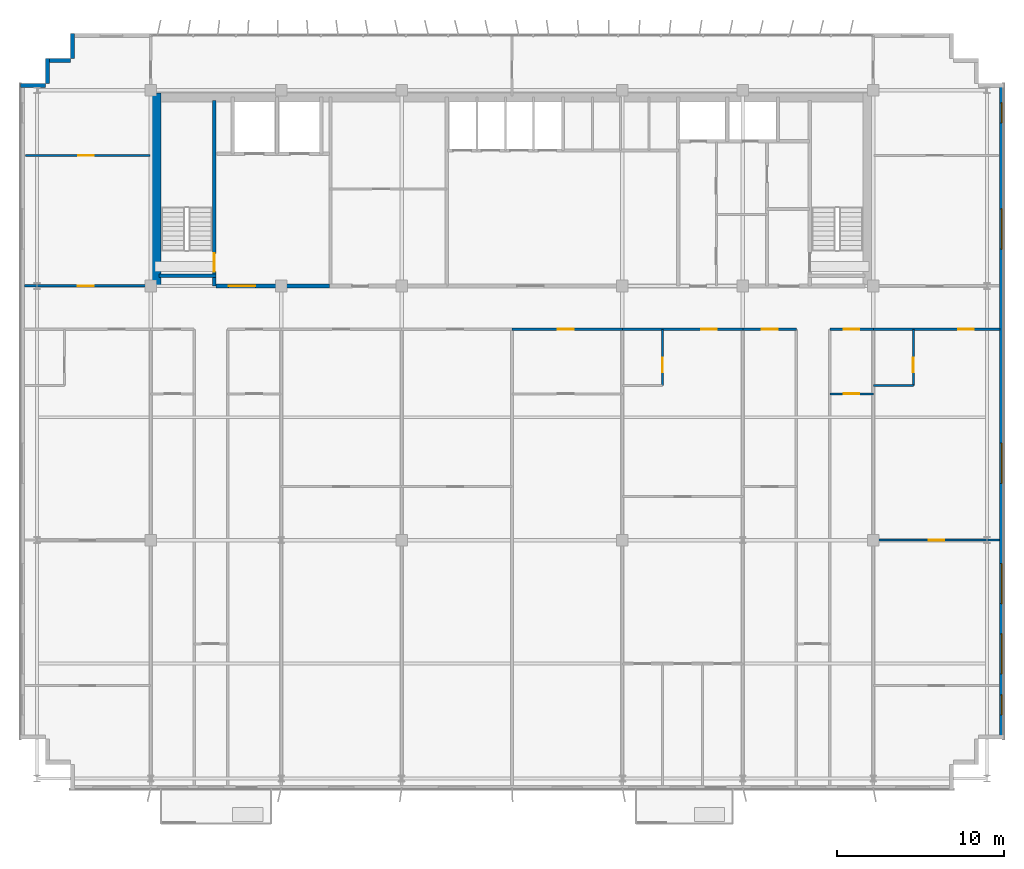
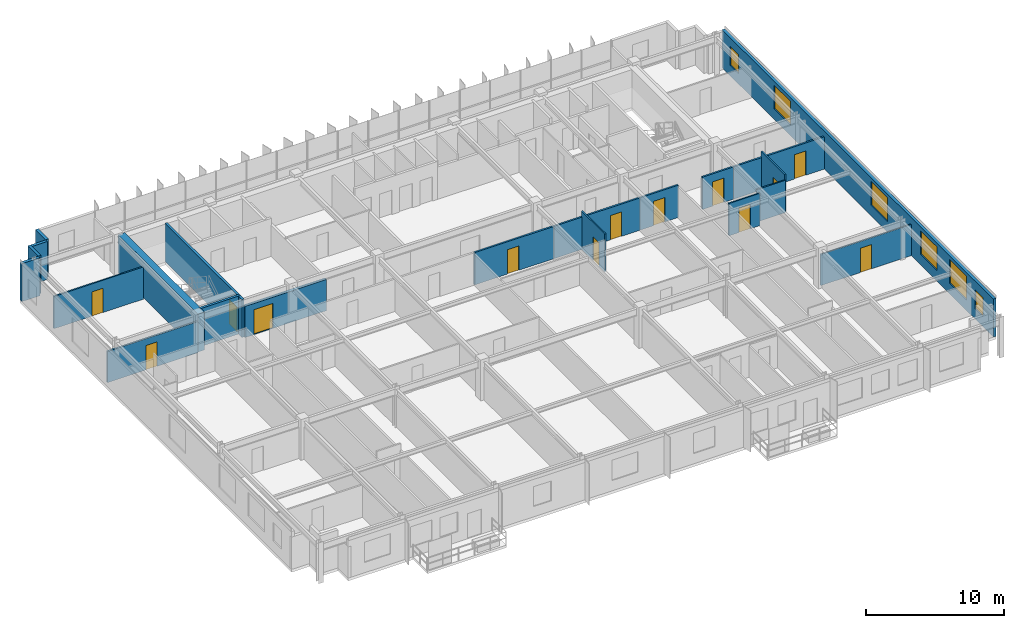
# One storey, part 16 of 20: 21 walls, 13 doors, 6 windows, 19 openings.
"""IFC4 building model written with IfcOpenShell, lengths in metres."""

from ifc_helpers import new_model, si_unit, direction, frame, frame_2d, origin, place, context, subcontext, project, spatial, rectangle, extrude, source, transform, mapped, material, layer, layer_set, type_object, element, fill, save


model = new_model("IFC4")

# Units and contexts
model_context = context("Model", 3, precision=1e-05, world=origin(), true_north=direction((0.0, 1.0)))
body_context = subcontext(model_context, "Body", "Model", "MODEL_VIEW")
ifc_project = project(units=[si_unit("LENGTHUNIT", "METRE"), si_unit("AREAUNIT", "SQUARE_METRE"), si_unit("VOLUMEUNIT", "CUBIC_METRE"), si_unit("PLANEANGLEUNIT", "RADIAN"), si_unit("MASSUNIT", "GRAM", prefix="KILO")], contexts=[model_context])

# Site, building, storey
site_placement = place(None, origin())
site = spatial("IfcSite", under=ifc_project, at=site_placement, CompositionType="ELEMENT")
building_placement = place(site_placement, origin())
building = spatial("IfcBuilding", under=site, at=building_placement, Name="Trelvane Seafront Commons", CompositionType="ELEMENT")
storey_placement = place(building_placement, frame((0.0, 0.0, 164.5)))
storey = spatial("IfcBuildingStorey", under=building, at=storey_placement, Name="L43", CompositionType="ELEMENT", Elevation=164.5)

# Walls
ifc_material_1 = material(Name="Precast concrete C40/50", Category="concrete")
ifc_layer_1 = layer(ifc_material_1, 0.239990234375, Name="ARCH-WALL-EXT240")
ifc_layer_set_1 = layer_set([ifc_layer_1], Name="Precast concrete C40/50")
wall_type_1 = type_object("IfcWallType", Name="ARCH-WALL-EXT240", PredefinedType="SOLIDWALL", material=ifc_layer_set_1)
for number, where, z_axis, x_axis, name in (
    (1, (7.800048828125, 45.3798828125, 0.0), (0.0, 0.0, 1.0), (1.0, 0.0, 0.0), "EW-L43-00848"),
    (2, (9.419921875, 45.5, 0.0), (0.0, 0.0, 1.0), (0.0, 1.0, 0.0), "EW-L43-00849"),
    (3, (9.300048828125, 46.8798828125, 0.0), (0.0, 0.0, 1.0), (1.0, 0.0, 0.0), "EW-L43-00850"),
    (4, (10.919921875, 47.0, 0.0), (0.0, 0.0, 1.0), (0.0, 1.0, 0.0), "EW-L43-00851"),
):
    element("IfcWall", number, at=place(storey_placement, frame(where, z_axis=z_axis, x_axis=x_axis)), inside=storey, type_object=wall_type_1, Name=name, PredefinedType="SOLIDWALL", context=body_context, shape_type="SweptSolid", body=[
        extrude(rectangle(XDim=1.5, YDim=0.239990234375, at=frame_2d((0.75, 0.0))), origin(), (0.0, 0.0, 1.0), 3.35009765625),
    ])

# Wall, openings, windows
wall_1_placement = place(storey_placement, frame((66.47998046875, 45.5, 0.0), z_axis=(0.0, 0.0, 1.0), x_axis=(0.0, -1.0, 0.0)))
wall_1 = element("IfcWall", 5, at=wall_1_placement, inside=storey, type_object=wall_type_1, Name="EW-L43-00856", PredefinedType="SOLIDWALL", context=body_context, shape_type="SweptSolid", body=[
    extrude(rectangle(XDim=39.199951171875, YDim=0.239990234375, at=frame_2d((19.60009765625, 0.0))), origin(), (0.0, 0.0, 1.0), 3.35009765625),
])
opening_1_placement = place(wall_1_placement, frame((36.550048828125, 0.0, 0.919921875)))
opening_1 = element("IfcOpeningElement", 6, at=opening_1_placement, cuts=wall_1, Name="Opening W05", PredefinedType="OPENING", context=body_context, shape_type="SweptSolid", body=[
    extrude(rectangle(XDim=1.199951171875, YDim=1.64990234375, at=frame_2d((0.60009765625, 0.824951171875))), frame((0.0, 0.1298828125, 0.0), z_axis=(0.0, -1.0, 0.0), x_axis=(1.0, 0.0, 0.0)), (0.0, 0.0, 1.0), 0.260009765625),
])
opening_2_placement = place(wall_1_placement, frame((32.89990234375, 0.0, 0.919921875)))
opening_2 = element("IfcOpeningElement", 7, at=opening_2_placement, cuts=wall_1, Name="Opening W08", PredefinedType="OPENING", context=body_context, shape_type="SweptSolid", body=[
    extrude(rectangle(XDim=2.39990234375, YDim=2.10009765625, at=frame_2d((1.199951171875, 1.050048828125))), frame((0.0, 0.1298828125, 0.0), z_axis=(0.0, -1.0, 0.0), x_axis=(1.0, 0.0, 0.0)), (0.0, 0.0, 1.0), 0.260009765625),
])
opening_3_placement = place(wall_1_placement, frame((28.699951171875, 0.0, 0.919921875)))
opening_3 = element("IfcOpeningElement", 8, at=opening_3_placement, cuts=wall_1, Name="Opening W08", PredefinedType="OPENING", context=body_context, shape_type="SweptSolid", body=[
    extrude(rectangle(XDim=2.39990234375, YDim=2.10009765625, at=frame_2d((1.199951171875, 1.050048828125))), frame((0.0, 0.1298828125, 0.0), z_axis=(0.0, -1.0, 0.0), x_axis=(1.0, 0.0, 0.0)), (0.0, 0.0, 1.0), 0.260009765625),
])
opening_4_placement = place(wall_1_placement, frame((21.5, 0.0, 0.919921875)))
opening_4 = element("IfcOpeningElement", 9, at=opening_4_placement, cuts=wall_1, Name="Opening W08", PredefinedType="OPENING", context=body_context, shape_type="SweptSolid", body=[
    extrude(rectangle(XDim=2.39990234375, YDim=2.10009765625, at=frame_2d((1.199951171875, 1.050048828125))), frame((0.0, 0.1298828125, 0.0), z_axis=(0.0, -1.0, 0.0), x_axis=(1.0, 0.0, 0.0)), (0.0, 0.0, 1.0), 0.260009765625),
])
opening_5_placement = place(wall_1_placement, frame((7.5, 0.0, 0.919921875)))
opening_5 = element("IfcOpeningElement", 10, at=opening_5_placement, cuts=wall_1, Name="Opening W08", PredefinedType="OPENING", context=body_context, shape_type="SweptSolid", body=[
    extrude(rectangle(XDim=2.39990234375, YDim=2.10009765625, at=frame_2d((1.199951171875, 1.050048828125))), frame((0.0, 0.1298828125, 0.0), z_axis=(0.0, -1.0, 0.0), x_axis=(1.0, 0.0, 0.0)), (0.0, 0.0, 1.0), 0.260009765625),
])
opening_6_placement = place(wall_1_placement, frame((1.14990234375, 0.0, 0.919921875)))
opening_6 = element("IfcOpeningElement", 11, at=opening_6_placement, cuts=wall_1, Name="Opening W05", PredefinedType="OPENING", context=body_context, shape_type="SweptSolid", body=[
    extrude(rectangle(XDim=1.199951171875, YDim=1.64990234375, at=frame_2d((0.60009765625, 0.824951171875))), frame((0.0, 0.1298828125, 0.0), z_axis=(0.0, -1.0, 0.0), x_axis=(1.0, 0.0, 0.0)), (0.0, 0.0, 1.0), 0.260009765625),
])
ifc_material_2 = material(Name="Low-E coastal double glazing", Category="glass")
window_type_1 = type_object("IfcWindowType", Name="ARCH-WIN-W08", PartitioningType="SINGLE_PANEL", PredefinedType="WINDOW", material=ifc_material_2)
shared_shape_1 = source(origin(), body_context, "Body", "SweptSolid", [
    extrude(rectangle(XDim=2.39990234375, YDim=2.10009765625, at=frame_2d((1.199951171875, 1.050048828125))), frame((0.0, 0.030029296875, 0.0), z_axis=(0.0, -1.0, 0.0), x_axis=(1.0, 0.0, 0.0)), (0.0, 0.0, 1.0), 0.06005859375),
])
window_1_placement = place(opening_2_placement, origin())
window_1 = element("IfcWindow", 12, at=window_1_placement, inside=storey, type_object=window_type_1, Name="WIN-L43-EW-01021", OverallHeight=2.10009765625, OverallWidth=2.39990234375, PartitioningType="SINGLE_PANEL", PredefinedType="WINDOW", context=body_context, shape_type="MappedRepresentation", body=[
    mapped(shared_shape_1, transform((0.0, 0.0, 0.0), x_axis=(1.0, 0.0, 0.0), y_axis=(0.0, 1.0, 0.0), z_axis=(0.0, 0.0, 1.0), scale=1.0)),
])
fill(opening_2, window_1)
window_2_placement = place(opening_3_placement, origin())
window_2 = element("IfcWindow", 13, at=window_2_placement, inside=storey, type_object=window_type_1, Name="WIN-L43-EW-01022", OverallHeight=2.10009765625, OverallWidth=2.39990234375, PartitioningType="SINGLE_PANEL", PredefinedType="WINDOW", context=body_context, shape_type="MappedRepresentation", body=[
    mapped(shared_shape_1, transform((0.0, 0.0, 0.0), x_axis=(1.0, 0.0, 0.0), y_axis=(0.0, 1.0, 0.0), z_axis=(0.0, 0.0, 1.0), scale=1.0)),
])
fill(opening_3, window_2)
window_3_placement = place(opening_4_placement, origin())
window_3 = element("IfcWindow", 14, at=window_3_placement, inside=storey, type_object=window_type_1, Name="WIN-L43-EW-01023", OverallHeight=2.10009765625, OverallWidth=2.39990234375, PartitioningType="SINGLE_PANEL", PredefinedType="WINDOW", context=body_context, shape_type="MappedRepresentation", body=[
    mapped(shared_shape_1, transform((0.0, 0.0, 0.0), x_axis=(1.0, 0.0, 0.0), y_axis=(0.0, 1.0, 0.0), z_axis=(0.0, 0.0, 1.0), scale=1.0)),
])
fill(opening_4, window_3)
window_4_placement = place(opening_5_placement, origin())
window_4 = element("IfcWindow", 15, at=window_4_placement, inside=storey, type_object=window_type_1, Name="WIN-L43-EW-01024", OverallHeight=2.10009765625, OverallWidth=2.39990234375, PartitioningType="SINGLE_PANEL", PredefinedType="WINDOW", context=body_context, shape_type="MappedRepresentation", body=[
    mapped(shared_shape_1, transform((0.0, 0.0, 0.0), x_axis=(1.0, 0.0, 0.0), y_axis=(0.0, 1.0, 0.0), z_axis=(0.0, 0.0, 1.0), scale=1.0)),
])
fill(opening_5, window_4)
window_type_2 = type_object("IfcWindowType", Name="ARCH-WIN-W05", PartitioningType="SINGLE_PANEL", PredefinedType="WINDOW", material=ifc_material_2)
shared_shape_2 = source(origin(), body_context, "Body", "SweptSolid", [
    extrude(rectangle(XDim=1.199951171875, YDim=1.64990234375, at=frame_2d((0.60009765625, 0.824951171875))), frame((0.0, 0.030029296875, 0.0), z_axis=(0.0, -1.0, 0.0), x_axis=(1.0, 0.0, 0.0)), (0.0, 0.0, 1.0), 0.06005859375),
])
window_5_placement = place(opening_1_placement, origin())
window_5 = element("IfcWindow", 16, at=window_5_placement, inside=storey, type_object=window_type_2, Name="WIN-L43-EW-01020", OverallHeight=1.64990234375, OverallWidth=1.199951171875, PartitioningType="SINGLE_PANEL", PredefinedType="WINDOW", context=body_context, shape_type="MappedRepresentation", body=[
    mapped(shared_shape_2, transform((0.0, 0.0, 0.0), x_axis=(1.0, 0.0, 0.0), y_axis=(0.0, 1.0, 0.0), z_axis=(0.0, 0.0, 1.0), scale=1.0)),
])
fill(opening_1, window_5)
window_6_placement = place(opening_6_placement, origin())
window_6 = element("IfcWindow", 17, at=window_6_placement, inside=storey, type_object=window_type_2, Name="WIN-L43-EW-01025", OverallHeight=1.64990234375, OverallWidth=1.199951171875, PartitioningType="SINGLE_PANEL", PredefinedType="WINDOW", context=body_context, shape_type="MappedRepresentation", body=[
    mapped(shared_shape_2, transform((0.0, 0.0, 0.0), x_axis=(1.0, 0.0, 0.0), y_axis=(0.0, 1.0, 0.0), z_axis=(0.0, 0.0, 1.0), scale=1.0)),
])
fill(opening_6, window_6)

# Wall, opening, door
ifc_material_3 = material(Name="Concrete C40/50", Category="concrete")
ifc_layer_2 = layer(ifc_material_3, 0.25, Name="ARCH-WALL-FIRE250")
ifc_layer_set_2 = layer_set([ifc_layer_2], Name="Concrete C40/50")
wall_type_2 = type_object("IfcWallType", Name="ARCH-WALL-FIRE250", PredefinedType="PARTITIONING", material=ifc_layer_set_2)
wall_2_placement = place(storey_placement, frame((19.5, 33.39990234375, 0.0), z_axis=(0.0, 0.0, 1.0), x_axis=(1.0, 0.0, 0.0)))
wall_2 = element("IfcWall", 18, at=wall_2_placement, inside=storey, type_object=wall_type_2, Name="W-L43-CS-FFL-013", PredefinedType="PARTITIONING", context=body_context, shape_type="SweptSolid", body=[
    extrude(rectangle(XDim=6.800048828125, YDim=0.25, at=frame_2d((3.39990234375, 0.0))), origin(), (0.0, 0.0, 1.0), 2.75),
])
opening_7_placement = place(wall_2_placement, frame((0.75, 0.0, 0.0)))
opening_7 = element("IfcOpeningElement", 19, at=opening_7_placement, cuts=wall_2, Name="Opening FD-L43-05", PredefinedType="OPENING", context=body_context, shape_type="SweptSolid", body=[
    extrude(rectangle(XDim=1.60009765625, YDim=2.199951171875, at=frame_2d((0.800048828125, 1.10009765625))), frame((0.0, 0.135009765625, 0.0), z_axis=(0.0, -1.0, 0.0), x_axis=(1.0, 0.0, 0.0)), (0.0, 0.0, 1.0), 0.27001953125),
])
ifc_material_4 = material(Name="Powder-coated aluminium frame", Category="aluminium")
door_type_1 = type_object("IfcDoorType", Name="ARCH-DR-FD60-1600", OperationType="DOUBLE_DOOR_SINGLE_SWING", PredefinedType="DOOR", material=ifc_material_4)
shared_shape_3 = source(origin(), body_context, "Body", "SweptSolid", [
    extrude(rectangle(XDim=1.60009765625, YDim=2.199951171875, at=frame_2d((0.800048828125, 1.10009765625))), frame((0.0, 0.02490234375, 0.0), z_axis=(0.0, -1.0, 0.0), x_axis=(1.0, 0.0, 0.0)), (0.0, 0.0, 1.0), 0.050048828125),
])
door_1_placement = place(opening_7_placement, origin())
door_1 = element("IfcDoor", 20, at=door_1_placement, inside=storey, type_object=door_type_1, Name="L43 Firefighting Lift Lobby Double Fire Door", OperationType="DOUBLE_DOOR_SINGLE_SWING", OverallHeight=2.199951171875, OverallWidth=1.60009765625, PredefinedType="DOOR", context=body_context, shape_type="MappedRepresentation", body=[
    mapped(shared_shape_3, transform((0.0, 0.0, 0.0), x_axis=(1.0, 0.0, 0.0), y_axis=(0.0, 1.0, 0.0), z_axis=(0.0, 0.0, 1.0), scale=1.0)),
])
fill(opening_7, door_1)

ifc_material_5 = material(Name="Gypsum Drywall Acoustic Partition")
ifc_layer_3 = layer(ifc_material_5, 0.1201171875, Name="ARCH-WALL-PART120")
ifc_layer_set_3 = layer_set([ifc_layer_3], Name="Gypsum Drywall Acoustic Partition")
wall_type_3 = type_object("IfcWallType", Name="ARCH-WALL-PART120", PredefinedType="PARTITIONING", material=ifc_layer_set_3)
wall_3_placement = place(storey_placement, frame((8.10009765625, 41.199951171875, 0.0), z_axis=(0.0, 0.0, 1.0), x_axis=(1.0, 0.0, 0.0)))
wall_3 = element("IfcWall", 21, at=wall_3_placement, inside=storey, type_object=wall_type_3, Name="W-L43-NW-LGDV-036", PredefinedType="PARTITIONING", context=body_context, shape_type="SweptSolid", body=[
    extrude(rectangle(XDim=7.449951171875, YDim=0.1201171875, at=frame_2d((3.72509765625, 0.0))), origin(), (0.0, 0.0, 1.0), 2.85009765625),
])
opening_8_placement = place(wall_3_placement, frame((3.156982421875, 0.0, 0.0)))
opening_8 = element("IfcOpeningElement", 22, at=opening_8_placement, cuts=wall_3, Name="Opening D-L43-20", PredefinedType="OPENING", context=body_context, shape_type="SweptSolid", body=[
    extrude(rectangle(XDim=0.949951171875, YDim=2.14990234375, at=frame_2d((0.47509765625, 1.074951171875))), frame((0.0, 0.070068359375, 0.0), z_axis=(0.0, -1.0, 0.0), x_axis=(1.0, 0.0, 0.0)), (0.0, 0.0, 1.0), 0.14013671875),
])
ifc_material_6 = material(Name="Acoustic timber door leaf", Category="wood")
door_type_2 = type_object("IfcDoorType", Name="ARCH-DR-INT950", OperationType="NOTDEFINED", PredefinedType="DOOR", material=ifc_material_6)
shared_shape_4 = source(origin(), body_context, "Body", "SweptSolid", [
    extrude(rectangle(XDim=0.949951171875, YDim=2.14990234375, at=frame_2d((0.47509765625, 1.074951171875))), frame((0.0, 0.02490234375, 0.0), z_axis=(0.0, -1.0, 0.0), x_axis=(1.0, 0.0, 0.0)), (0.0, 0.0, 1.0), 0.050048828125),
])
door_2_placement = place(opening_8_placement, origin())
door_2 = element("IfcDoor", 23, at=door_2_placement, inside=storey, type_object=door_type_2, Name="L43 Door 20", OperationType="SINGLE_SWING_RIGHT", OverallHeight=2.14990234375, OverallWidth=0.949951171875, PredefinedType="DOOR", context=body_context, shape_type="MappedRepresentation", body=[
    mapped(shared_shape_4, transform((0.0, 0.0, 0.0), x_axis=(1.0, 0.0, 0.0), y_axis=(0.0, 1.0, 0.0), z_axis=(0.0, 0.0, 1.0), scale=1.0)),
])
fill(opening_8, door_2)

wall_4_placement = place(storey_placement, frame((46.199951171875, 27.449951171875, 0.0), z_axis=(0.0, 0.0, 1.0), x_axis=(0.0, 1.0, 0.0)))
wall_4 = element("IfcWall", 24, at=wall_4_placement, inside=storey, type_object=wall_type_3, Name="W-L43-U8-BE-069", PredefinedType="PARTITIONING", context=body_context, shape_type="SweptSolid", body=[
    extrude(rectangle(XDim=3.35009765625, YDim=0.1201171875, at=frame_2d((1.675048828125, 0.0))), origin(), (0.0, 0.0, 1.0), 3.35009765625),
])
opening_9_placement = place(wall_4_placement, frame((0.800048828125, 0.0, 0.0)))
opening_9 = element("IfcOpeningElement", 25, at=opening_9_placement, cuts=wall_4, Name="Opening D-L43-43", PredefinedType="OPENING", context=body_context, shape_type="SweptSolid", body=[
    extrude(rectangle(XDim=0.85009765625, YDim=2.10009765625, at=frame_2d((0.425048828125, 1.050048828125))), frame((0.0, 0.070068359375, 0.0), z_axis=(0.0, -1.0, 0.0), x_axis=(1.0, 0.0, 0.0)), (0.0, 0.0, 1.0), 0.14013671875),
])
door_type_3 = type_object("IfcDoorType", Name="ARCH-DR-INT850", OperationType="NOTDEFINED", PredefinedType="DOOR", material=ifc_material_6)
shared_shape_5 = source(origin(), body_context, "Body", "SweptSolid", [
    extrude(rectangle(XDim=0.85009765625, YDim=2.10009765625, at=frame_2d((0.425048828125, 1.050048828125))), frame((0.0, 0.02490234375, 0.0), z_axis=(0.0, -1.0, 0.0), x_axis=(1.0, 0.0, 0.0)), (0.0, 0.0, 1.0), 0.050048828125),
])
door_3_placement = place(opening_9_placement, origin())
door_3 = element("IfcDoor", 26, at=door_3_placement, inside=storey, type_object=door_type_3, Name="L43 Door 43", OperationType="SINGLE_SWING_LEFT", OverallHeight=2.10009765625, OverallWidth=0.85009765625, PredefinedType="DOOR", context=body_context, shape_type="MappedRepresentation", body=[
    mapped(shared_shape_5, transform((0.0, 0.0, 0.0), x_axis=(1.0, 0.0, 0.0), y_axis=(0.0, 1.0, 0.0), z_axis=(0.0, 0.0, 1.0), scale=1.0)),
])
fill(opening_9, door_3)

wall_5_placement = place(storey_placement, frame((56.199951171875, 26.949951171875, 0.0), z_axis=(0.0, 0.0, 1.0), x_axis=(1.0, 0.0, 0.0)))
wall_5 = element("IfcWall", 27, at=wall_5_placement, inside=storey, type_object=wall_type_3, Name="W-L43-U11-DIV-083", PredefinedType="PARTITIONING", context=body_context, shape_type="SweptSolid", body=[
    extrude(rectangle(XDim=2.60009765625, YDim=0.1201171875, at=frame_2d((1.300048828125, 0.0))), origin(), (0.0, 0.0, 1.0), 2.85009765625),
])
opening_10_placement = place(wall_5_placement, frame((0.824951171875, 0.0, 0.0)))
opening_10 = element("IfcOpeningElement", 28, at=opening_10_placement, cuts=wall_5, Name="Opening D-L43-52", PredefinedType="OPENING", context=body_context, shape_type="SweptSolid", body=[
    extrude(rectangle(XDim=0.949951171875, YDim=2.14990234375, at=frame_2d((0.47509765625, 1.074951171875))), frame((0.0, 0.070068359375, 0.0), z_axis=(0.0, -1.0, 0.0), x_axis=(1.0, 0.0, 0.0)), (0.0, 0.0, 1.0), 0.14013671875),
])
door_4_placement = place(opening_10_placement, origin())
door_4 = element("IfcDoor", 29, at=door_4_placement, inside=storey, type_object=door_type_2, Name="L43 Door 52", OperationType="SINGLE_SWING_RIGHT", OverallHeight=2.14990234375, OverallWidth=0.949951171875, PredefinedType="DOOR", context=body_context, shape_type="MappedRepresentation", body=[
    mapped(shared_shape_4, transform((0.0, 0.0, 0.0), x_axis=(1.0, 0.0, 0.0), y_axis=(0.0, 1.0, 0.0), z_axis=(0.0, 0.0, 1.0), scale=1.0)),
])
fill(opening_10, door_4)

wall_6_placement = place(storey_placement, frame((58.800048828125, 18.199951171875, 0.0), z_axis=(0.0, 0.0, 1.0), x_axis=(1.0, 0.0, 0.0)))
wall_6 = element("IfcWall", 30, at=wall_6_placement, inside=storey, type_object=wall_type_3, Name="W-L43-U12-KL-084", PredefinedType="PARTITIONING", context=body_context, shape_type="SweptSolid", body=[
    extrude(rectangle(XDim=7.56005859375, YDim=0.1201171875, at=frame_2d((3.780029296875, 0.0))), origin(), (0.0, 0.0, 1.0), 2.75),
])
opening_11_placement = place(wall_6_placement, frame((3.304931640625, 0.0, 0.0)))
opening_11 = element("IfcOpeningElement", 31, at=opening_11_placement, cuts=wall_6, Name="Opening D-L43-53", PredefinedType="OPENING", context=body_context, shape_type="SweptSolid", body=[
    extrude(rectangle(XDim=0.949951171875, YDim=2.14990234375, at=frame_2d((0.47509765625, 1.074951171875))), frame((0.0, 0.070068359375, 0.0), z_axis=(0.0, -1.0, 0.0), x_axis=(1.0, 0.0, 0.0)), (0.0, 0.0, 1.0), 0.14013671875),
])
door_5_placement = place(opening_11_placement, origin())
door_5 = element("IfcDoor", 32, at=door_5_placement, inside=storey, type_object=door_type_2, Name="L43 Door 53", OperationType="SINGLE_SWING_LEFT", OverallHeight=2.14990234375, OverallWidth=0.949951171875, PredefinedType="DOOR", context=body_context, shape_type="MappedRepresentation", body=[
    mapped(shared_shape_4, transform((0.0, 0.0, 0.0), x_axis=(1.0, 0.0, 0.0), y_axis=(0.0, 1.0, 0.0), z_axis=(0.0, 0.0, 1.0), scale=1.0)),
])
fill(opening_11, door_5)

wall_7_placement = place(storey_placement, frame((61.199951171875, 27.449951171875, 0.0), z_axis=(0.0, 0.0, 1.0), x_axis=(0.0, 1.0, 0.0)))
wall_7 = element("IfcWall", 33, at=wall_7_placement, inside=storey, type_object=wall_type_3, Name="W-L43-U12-BE-085", PredefinedType="PARTITIONING", context=body_context, shape_type="SweptSolid", body=[
    extrude(rectangle(XDim=3.35009765625, YDim=0.1201171875, at=frame_2d((1.675048828125, 0.0))), origin(), (0.0, 0.0, 1.0), 3.35009765625),
])
opening_12_placement = place(wall_7_placement, frame((0.800048828125, 0.0, 0.0)))
opening_12 = element("IfcOpeningElement", 34, at=opening_12_placement, cuts=wall_7, Name="Opening D-L43-54", PredefinedType="OPENING", context=body_context, shape_type="SweptSolid", body=[
    extrude(rectangle(XDim=0.85009765625, YDim=2.10009765625, at=frame_2d((0.425048828125, 1.050048828125))), frame((0.0, 0.070068359375, 0.0), z_axis=(0.0, -1.0, 0.0), x_axis=(1.0, 0.0, 0.0)), (0.0, 0.0, 1.0), 0.14013671875),
])
door_6_placement = place(opening_12_placement, origin())
door_6 = element("IfcDoor", 35, at=door_6_placement, inside=storey, type_object=door_type_3, Name="L43 Door 54", OperationType="SINGLE_SWING_RIGHT", OverallHeight=2.10009765625, OverallWidth=0.85009765625, PredefinedType="DOOR", context=body_context, shape_type="MappedRepresentation", body=[
    mapped(shared_shape_5, transform((0.0, 0.0, 0.0), x_axis=(1.0, 0.0, 0.0), y_axis=(0.0, 1.0, 0.0), z_axis=(0.0, 0.0, 1.0), scale=1.0)),
])
fill(opening_12, door_6)

# Wall
wall_8_placement = place(storey_placement, frame((58.800048828125, 27.449951171875, 0.0), z_axis=(0.0, 0.0, 1.0), x_axis=(1.0, 0.0, 0.0)))
element("IfcWall", 36, at=wall_8_placement, inside=storey, type_object=wall_type_3, Name="W-L43-U12-BS-086", PredefinedType="PARTITIONING", context=body_context, shape_type="SweptSolid", body=[
    extrude(rectangle(XDim=2.39990234375, YDim=0.1201171875, at=frame_2d((1.199951171875, 0.0))), origin(), (0.0, 0.0, 1.0), 2.85009765625),
])

# Wall, opening, door
ifc_layer_4 = layer(ifc_material_5, 0.14990234375, Name="ARCH-WALL-PART150")
ifc_layer_set_4 = layer_set([ifc_layer_4], Name="Gypsum Drywall Acoustic Partition")
wall_type_4 = type_object("IfcWallType", Name="ARCH-WALL-PART150", PredefinedType="PARTITIONING", material=ifc_layer_set_4)
wall_9_placement = place(storey_placement, frame((8.050048828125, 33.39990234375, 0.0), z_axis=(0.0, 0.0, 1.0), x_axis=(1.0, 0.0, 0.0)))
wall_9 = element("IfcWall", 37, at=wall_9_placement, inside=storey, type_object=wall_type_4, Name="W-L43-NW-ENT-037", PredefinedType="PARTITIONING", context=body_context, shape_type="SweptSolid", body=[
    extrude(rectangle(XDim=7.550048828125, YDim=0.14990234375, at=frame_2d((3.77490234375, 0.0))), origin(), (0.0, 0.0, 1.0), 2.75),
])
opening_13_placement = place(wall_9_placement, frame((3.199951171875, 0.0, 0.0)))
opening_13 = element("IfcOpeningElement", 38, at=opening_13_placement, cuts=wall_9, Name="Opening FD-L43-21", PredefinedType="OPENING", context=body_context, shape_type="SweptSolid", body=[
    extrude(rectangle(XDim=0.949951171875, YDim=2.14990234375, at=frame_2d((0.47509765625, 1.074951171875))), frame((0.0, 0.0849609375, 0.0), z_axis=(0.0, -1.0, 0.0), x_axis=(1.0, 0.0, 0.0)), (0.0, 0.0, 1.0), 0.169921875),
])
door_type_4 = type_object("IfcDoorType", Name="ARCH-DR-FD60-950", OperationType="NOTDEFINED", PredefinedType="DOOR", material=ifc_material_4)
door_7_placement = place(opening_13_placement, origin())
door_7 = element("IfcDoor", 39, at=door_7_placement, inside=storey, type_object=door_type_4, Name="L43 NW Suite Entrance Door", OperationType="SINGLE_SWING_LEFT", OverallHeight=2.14990234375, OverallWidth=0.949951171875, PredefinedType="DOOR", context=body_context, shape_type="MappedRepresentation", body=[
    mapped(shared_shape_4, transform((0.0, 0.0, 0.0), x_axis=(1.0, 0.0, 0.0), y_axis=(0.0, 1.0, 0.0), z_axis=(0.0, 0.0, 1.0), scale=1.0)),
])
fill(opening_13, door_7)

wall_10_placement = place(storey_placement, frame((37.199951171875, 30.800048828125, 0.0), z_axis=(0.0, 0.0, 1.0), x_axis=(1.0, 0.0, 0.0)))
wall_10 = element("IfcWall", 40, at=wall_10_placement, inside=storey, type_object=wall_type_4, Name="W-L43-CS-BAY-7-066", PredefinedType="PARTITIONING", context=body_context, shape_type="SweptSolid", body=[
    extrude(rectangle(XDim=6.60009765625, YDim=0.14990234375, at=frame_2d((3.300048828125, 0.0))), origin(), (0.0, 0.0, 1.0), 2.85009765625),
])
opening_14_placement = place(wall_10_placement, frame((2.73388671875, 0.0, 0.0)))
opening_14 = element("IfcOpeningElement", 41, at=opening_14_placement, cuts=wall_10, Name="Opening FD-L43-40", PredefinedType="OPENING", context=body_context, shape_type="SweptSolid", body=[
    extrude(rectangle(XDim=0.949951171875, YDim=2.14990234375, at=frame_2d((0.47509765625, 1.074951171875))), frame((0.0, 0.0849609375, 0.0), z_axis=(0.0, -1.0, 0.0), x_axis=(1.0, 0.0, 0.0)), (0.0, 0.0, 1.0), 0.169921875),
])
door_8_placement = place(opening_14_placement, origin())
door_8 = element("IfcDoor", 42, at=door_8_placement, inside=storey, type_object=door_type_4, Name="L43 Bay 07 Entrance Door", OperationType="SINGLE_SWING_RIGHT", OverallHeight=2.14990234375, OverallWidth=0.949951171875, PredefinedType="DOOR", context=body_context, shape_type="MappedRepresentation", body=[
    mapped(shared_shape_4, transform((0.0, 0.0, 0.0), x_axis=(1.0, 0.0, 0.0), y_axis=(0.0, 1.0, 0.0), z_axis=(0.0, 0.0, 1.0), scale=1.0)),
])
fill(opening_14, door_8)

wall_11_placement = place(storey_placement, frame((43.800048828125, 30.800048828125, 0.0), z_axis=(0.0, 0.0, 1.0), x_axis=(1.0, 0.0, 0.0)))
wall_11 = element("IfcWall", 43, at=wall_11_placement, inside=storey, type_object=wall_type_4, Name="W-L43-CS-BAY-8-071", PredefinedType="PARTITIONING", context=body_context, shape_type="SweptSolid", body=[
    extrude(rectangle(XDim=7.199951171875, YDim=0.14990234375, at=frame_2d((3.60009765625, 0.0))), origin(), (0.0, 0.0, 1.0), 2.85009765625),
])
opening_15_placement = place(wall_11_placement, frame((4.7060546875, 0.0, 0.0)))
opening_15 = element("IfcOpeningElement", 44, at=opening_15_placement, cuts=wall_11, Name="Opening FD-L43-44", PredefinedType="OPENING", context=body_context, shape_type="SweptSolid", body=[
    extrude(rectangle(XDim=0.949951171875, YDim=2.14990234375, at=frame_2d((0.47509765625, 1.074951171875))), frame((0.0, 0.0849609375, 0.0), z_axis=(0.0, -1.0, 0.0), x_axis=(1.0, 0.0, 0.0)), (0.0, 0.0, 1.0), 0.169921875),
])
door_9_placement = place(opening_15_placement, origin())
door_9 = element("IfcDoor", 45, at=door_9_placement, inside=storey, type_object=door_type_4, Name="L43 Unit 08 Entrance Door", OperationType="SINGLE_SWING_RIGHT", OverallHeight=2.14990234375, OverallWidth=0.949951171875, PredefinedType="DOOR", context=body_context, shape_type="MappedRepresentation", body=[
    mapped(shared_shape_4, transform((0.0, 0.0, 0.0), x_axis=(1.0, 0.0, 0.0), y_axis=(0.0, 1.0, 0.0), z_axis=(0.0, 0.0, 1.0), scale=1.0)),
])
fill(opening_15, door_9)

wall_12_placement = place(storey_placement, frame((51.0, 30.800048828125, 0.0), z_axis=(0.0, 0.0, 1.0), x_axis=(1.0, 0.0, 0.0)))
wall_12 = element("IfcWall", 46, at=wall_12_placement, inside=storey, type_object=wall_type_4, Name="W-L43-CS-BAY-9-077", PredefinedType="PARTITIONING", context=body_context, shape_type="SweptSolid", body=[
    extrude(rectangle(XDim=3.199951171875, YDim=0.14990234375, at=frame_2d((1.60009765625, 0.0))), origin(), (0.0, 0.0, 1.0), 2.85009765625),
])
opening_16_placement = place(wall_12_placement, frame((1.125, 0.0, 0.0)))
opening_16 = element("IfcOpeningElement", 47, at=opening_16_placement, cuts=wall_12, Name="Opening FD-L43-48", PredefinedType="OPENING", context=body_context, shape_type="SweptSolid", body=[
    extrude(rectangle(XDim=0.949951171875, YDim=2.14990234375, at=frame_2d((0.47509765625, 1.074951171875))), frame((0.0, 0.0849609375, 0.0), z_axis=(0.0, -1.0, 0.0), x_axis=(1.0, 0.0, 0.0)), (0.0, 0.0, 1.0), 0.169921875),
])
door_10_placement = place(opening_16_placement, origin())
door_10 = element("IfcDoor", 48, at=door_10_placement, inside=storey, type_object=door_type_4, Name="L43 Bay 09 Entrance Door", OperationType="SINGLE_SWING_RIGHT", OverallHeight=2.14990234375, OverallWidth=0.949951171875, PredefinedType="DOOR", context=body_context, shape_type="MappedRepresentation", body=[
    mapped(shared_shape_4, transform((0.0, 0.0, 0.0), x_axis=(1.0, 0.0, 0.0), y_axis=(0.0, 1.0, 0.0), z_axis=(0.0, 0.0, 1.0), scale=1.0)),
])
fill(opening_16, door_10)

wall_13_placement = place(storey_placement, frame((56.199951171875, 30.800048828125, 0.0), z_axis=(0.0, 0.0, 1.0), x_axis=(1.0, 0.0, 0.0)))
wall_13 = element("IfcWall", 49, at=wall_13_placement, inside=storey, type_object=wall_type_4, Name="W-L43-CS-BAY-11-082", PredefinedType="PARTITIONING", context=body_context, shape_type="SweptSolid", body=[
    extrude(rectangle(XDim=2.60009765625, YDim=0.14990234375, at=frame_2d((1.300048828125, 0.0))), origin(), (0.0, 0.0, 1.0), 2.85009765625),
])
opening_17_placement = place(wall_13_placement, frame((0.824951171875, 0.0, 0.0)))
opening_17 = element("IfcOpeningElement", 50, at=opening_17_placement, cuts=wall_13, Name="Opening FD-L43-51", PredefinedType="OPENING", context=body_context, shape_type="SweptSolid", body=[
    extrude(rectangle(XDim=0.949951171875, YDim=2.14990234375, at=frame_2d((0.47509765625, 1.074951171875))), frame((0.0, 0.0849609375, 0.0), z_axis=(0.0, -1.0, 0.0), x_axis=(1.0, 0.0, 0.0)), (0.0, 0.0, 1.0), 0.169921875),
])
door_11_placement = place(opening_17_placement, origin())
door_11 = element("IfcDoor", 51, at=door_11_placement, inside=storey, type_object=door_type_4, Name="L43 Bay 11 Entrance Door", OperationType="SINGLE_SWING_LEFT", OverallHeight=2.14990234375, OverallWidth=0.949951171875, PredefinedType="DOOR", context=body_context, shape_type="MappedRepresentation", body=[
    mapped(shared_shape_4, transform((0.0, 0.0, 0.0), x_axis=(1.0, 0.0, 0.0), y_axis=(0.0, 1.0, 0.0), z_axis=(0.0, 0.0, 1.0), scale=1.0)),
])
fill(opening_17, door_11)

wall_14_placement = place(storey_placement, frame((58.800048828125, 30.800048828125, 0.0), z_axis=(0.0, 0.0, 1.0), x_axis=(1.0, 0.0, 0.0)))
wall_14 = element("IfcWall", 52, at=wall_14_placement, inside=storey, type_object=wall_type_4, Name="W-L43-CS-BAY-12-087", PredefinedType="PARTITIONING", context=body_context, shape_type="SweptSolid", body=[
    extrude(rectangle(XDim=7.574951171875, YDim=0.14990234375, at=frame_2d((3.78759765625, 0.0))), origin(), (0.0, 0.0, 1.0), 2.85009765625),
])
opening_18_placement = place(wall_14_placement, frame((5.072998046875, 0.0, 0.0)))
opening_18 = element("IfcOpeningElement", 53, at=opening_18_placement, cuts=wall_14, Name="Opening FD-L43-55", PredefinedType="OPENING", context=body_context, shape_type="SweptSolid", body=[
    extrude(rectangle(XDim=0.949951171875, YDim=2.14990234375, at=frame_2d((0.47509765625, 1.074951171875))), frame((0.0, 0.0849609375, 0.0), z_axis=(0.0, -1.0, 0.0), x_axis=(1.0, 0.0, 0.0)), (0.0, 0.0, 1.0), 0.169921875),
])
door_12_placement = place(opening_18_placement, origin())
door_12 = element("IfcDoor", 54, at=door_12_placement, inside=storey, type_object=door_type_4, Name="L43 Unit 12 Entrance Door", OperationType="SINGLE_SWING_LEFT", OverallHeight=2.14990234375, OverallWidth=0.949951171875, PredefinedType="DOOR", context=body_context, shape_type="MappedRepresentation", body=[
    mapped(shared_shape_4, transform((0.0, 0.0, 0.0), x_axis=(1.0, 0.0, 0.0), y_axis=(0.0, 1.0, 0.0), z_axis=(0.0, 0.0, 1.0), scale=1.0)),
])
fill(opening_18, door_12)

# Walls
ifc_material_7 = material(Name="Concrete C50/60", Category="concrete")
ifc_layer_5 = layer(ifc_material_7, 0.550048828125, Name="STR-WALL-CORE550")
ifc_layer_set_5 = layer_set([ifc_layer_5], Name="Concrete C50/60")
wall_type_5 = type_object("IfcWallType", Name="STR-WALL-CORE550", PredefinedType="SHEAR", material=ifc_layer_set_5)
wall_15_placement = place(storey_placement, frame((15.925048828125, 33.39990234375, 0.0), z_axis=(0.0, 0.0, 1.0), x_axis=(0.0, 1.0, 0.0)))
element("IfcWall", 55, at=wall_15_placement, inside=storey, type_object=wall_type_5, Name="W-L43-CW-END-002", PredefinedType="SHEAR", context=body_context, shape_type="SweptSolid", body=[
    extrude(rectangle(XDim=11.550048828125, YDim=0.550048828125, at=frame_2d((5.77490234375, 0.0))), origin(), (0.0, 0.0, 1.0), 3.35009765625),
])
ifc_layer_6 = layer(ifc_material_7, 0.199951171875, Name="STR-WALL-STAIR200")
ifc_layer_set_6 = layer_set([ifc_layer_6], Name="Concrete C50/60")
wall_type_6 = type_object("IfcWallType", Name="STR-WALL-STAIR200", PredefinedType="SHEAR", material=ifc_layer_set_6)
wall_16_placement = place(storey_placement, frame((16.10009765625, 34.0, 0.0), z_axis=(0.0, 0.0, 1.0), x_axis=(1.0, 0.0, 0.0)))
element("IfcWall", 56, at=wall_16_placement, inside=storey, type_object=wall_type_6, Name="W-L43-ST1-S-004", PredefinedType="SHEAR", context=body_context, shape_type="SweptSolid", body=[
    extrude(rectangle(XDim=3.39990234375, YDim=0.199951171875, at=frame_2d((1.699951171875, 0.0))), origin(), (0.0, 0.0, 1.0), 3.35009765625),
])

# Wall, opening, door
wall_17_placement = place(storey_placement, frame((19.39990234375, 33.39990234375, 0.0), z_axis=(0.0, 0.0, 1.0), x_axis=(0.0, 1.0, 0.0)))
wall_17 = element("IfcWall", 57, at=wall_17_placement, inside=storey, type_object=wall_type_6, Name="W-L43-ST1-E-005", PredefinedType="SHEAR", context=body_context, shape_type="SweptSolid", body=[
    extrude(rectangle(XDim=11.10009765625, YDim=0.199951171875, at=frame_2d((5.550048828125, 0.0))), origin(), (0.0, 0.0, 1.0), 3.35009765625),
])
opening_19_placement = place(wall_17_placement, frame((0.85009765625, 0.0, 0.0)))
opening_19 = element("IfcOpeningElement", 58, at=opening_19_placement, cuts=wall_17, Name="Opening ST-D1-L43", PredefinedType="OPENING", context=body_context, shape_type="SweptSolid", body=[
    extrude(rectangle(XDim=1.10009765625, YDim=2.14990234375, at=frame_2d((0.550048828125, 1.074951171875))), frame((0.0, 0.10986328125, 0.0), z_axis=(0.0, -1.0, 0.0), x_axis=(1.0, 0.0, 0.0)), (0.0, 0.0, 1.0), 0.219970703125),
])
door_type_5 = type_object("IfcDoorType", Name="ARCH-DR-FD90-1100", OperationType="NOTDEFINED", PredefinedType="DOOR", material=ifc_material_4)
shared_shape_6 = source(origin(), body_context, "Body", "SweptSolid", [
    extrude(rectangle(XDim=1.10009765625, YDim=2.14990234375, at=frame_2d((0.550048828125, 1.074951171875))), frame((0.0, 0.02490234375, 0.0), z_axis=(0.0, -1.0, 0.0), x_axis=(1.0, 0.0, 0.0)), (0.0, 0.0, 1.0), 0.050048828125),
])
door_13_placement = place(opening_19_placement, origin())
door_13 = element("IfcDoor", 59, at=door_13_placement, inside=storey, type_object=door_type_5, Name="L43 Stair ST-1 Lobby Fire Door", OperationType="SINGLE_SWING_LEFT", OverallHeight=2.14990234375, OverallWidth=1.10009765625, PredefinedType="DOOR", context=body_context, shape_type="MappedRepresentation", body=[
    mapped(shared_shape_6, transform((0.0, 0.0, 0.0), x_axis=(1.0, 0.0, 0.0), y_axis=(0.0, 1.0, 0.0), z_axis=(0.0, 0.0, 1.0), scale=1.0)),
])
fill(opening_19, door_13)

save(model, "model.ifc")
